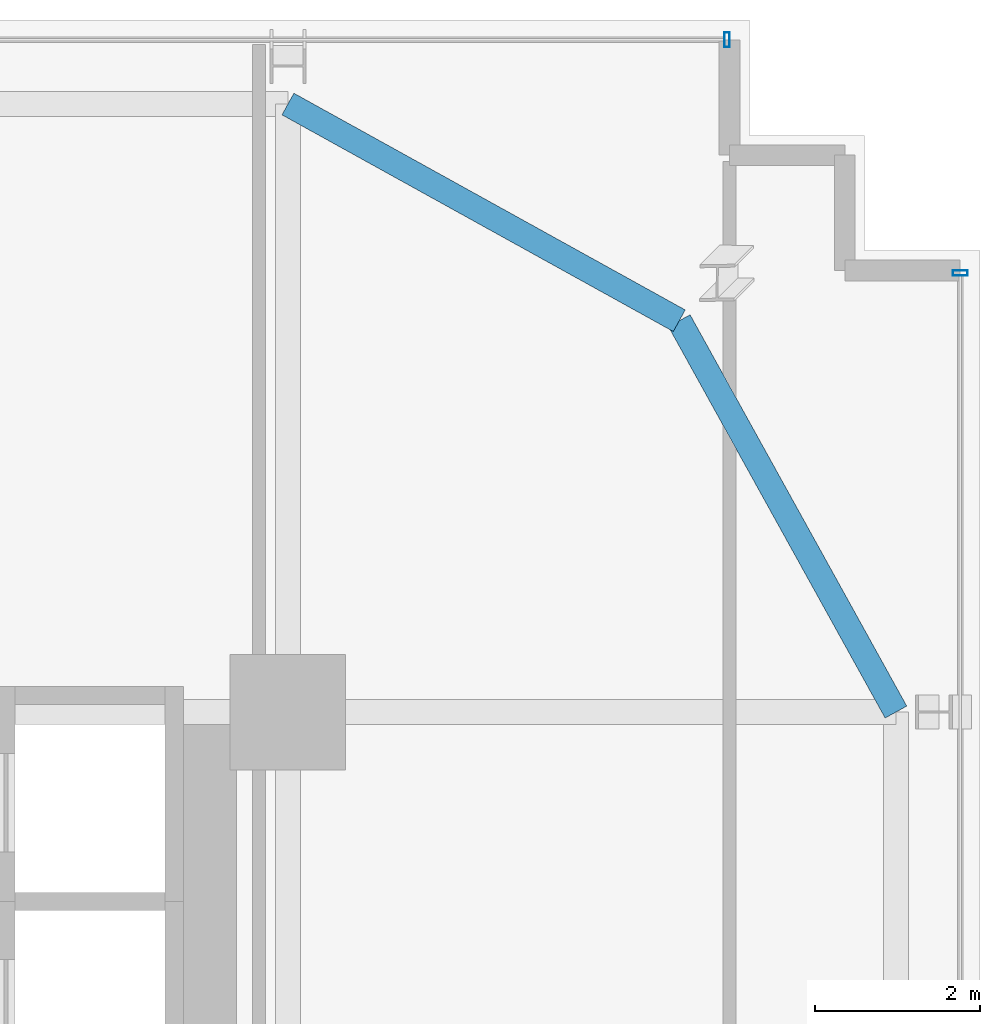
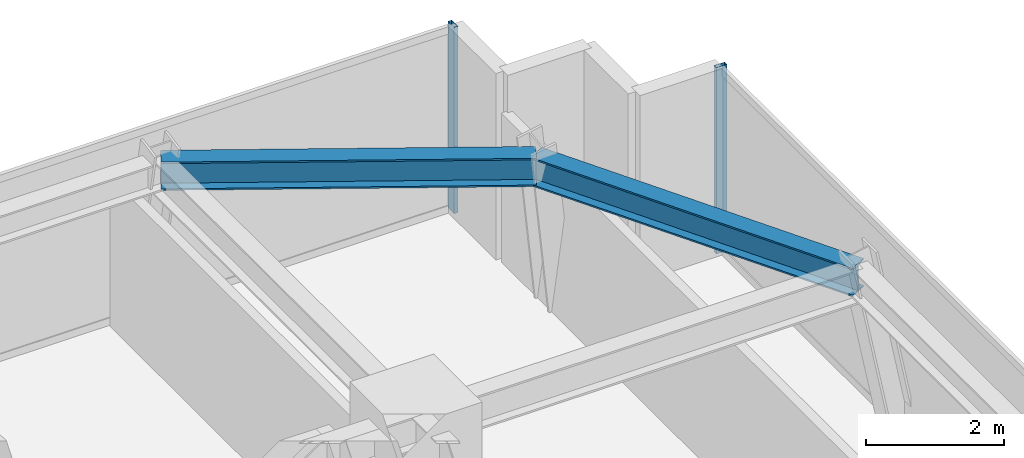
# One storey, part 27 of 35: 2 beams, 2 members, 2 elements without a shape of their own.
"""IFC4 building model written with IfcOpenShell, lengths in metres."""

from ifc_helpers import new_model, si_unit, direction, frame, origin, origin_2d, place, context, subcontext, project, spatial, hollow_rectangle, i_section, extrude, source, transform, mapped, material, material_profile, profile_set, type_object, element, aggregate, save


model = new_model("IFC4")

# Units and contexts
model_context = context("Model", 3, precision=1e-05, world=origin(), true_north=direction((0.0, 1.0)))
body_context = subcontext(model_context, "Body", "Model", "MODEL_VIEW")
ifc_project = project(units=[si_unit("LENGTHUNIT", "METRE"), si_unit("AREAUNIT", "SQUARE_METRE"), si_unit("VOLUMEUNIT", "CUBIC_METRE"), si_unit("PLANEANGLEUNIT", "RADIAN"), si_unit("MASSUNIT", "GRAM", prefix="KILO")], contexts=[model_context])

# Site, building, storey
site_placement = place(None, origin())
site = spatial("IfcSite", under=ifc_project, at=site_placement, CompositionType="ELEMENT")
building_placement = place(site_placement, origin())
building = spatial("IfcBuilding", under=site, at=building_placement, Name="Nahalor Promenade Grand Hotel", CompositionType="ELEMENT")
storey_placement = place(building_placement, frame((0.0, 0.0, 79.85009765625)))
storey = spatial("IfcBuildingStorey", under=building, at=storey_placement, Name="L19", CompositionType="ELEMENT", Elevation=79.85009765625)

# Beams
ifc_material_1 = material(Name="Steel S355JR", Category="steel")
ifc_material_profile_1 = material_profile(ifc_material_1, i_section(OverallWidth=0.3, OverallDepth=0.5, WebThickness=0.0145, FlangeThickness=0.028, at=origin_2d()), Name="HEB 500")
ifc_profile_set_1 = profile_set([ifc_material_profile_1], Name="Steel S355JR")
beam_type = type_object("IfcBeamType", Name="Beam-Spandrel-HEB500", PredefinedType="SPANDREL", material=ifc_profile_set_1)
shared_shape_1 = source(origin(), body_context, "Body", "SweptSolid", [
    extrude(i_section(OverallWidth=0.3, OverallDepth=0.5, WebThickness=0.0145, FlangeThickness=0.028, at=origin_2d()), origin(), (0.0, 0.0, 1.0), 5.429443359375),
])
for number, where, z_axis, x_axis, name in (
    (1, (17.0, 24.3798828125, 3.039794921875), (0.874860543329, -0.484374885523, 0.0), (0.484374885523, 0.874860543329, 0.0), "BM-L19-SPC-NE-1"),
    (2, (21.75, 21.75, 3.039794921875), (0.484374885523, -0.874860543329, 0.0), (0.874860543329, 0.484374885523, 0.0), "BM-L19-SPC-NE-2"),
):
    element("IfcBeam", number, at=place(storey_placement, frame(where, z_axis=z_axis, x_axis=x_axis)), inside=storey, type_object=beam_type, Name=name, PredefinedType="SPANDREL", context=body_context, shape_type="MappedRepresentation", body=[
        mapped(shared_shape_1, transform((0.0, 0.0, 0.0), scale=1.0)),
    ])

# Curtain wall, member
ifc_material_2 = material(Name="Anodised Bronze Aluminium EN AW-6063 T6", Category="aluminium")
curtain_wall_type = type_object("IfcCurtainWallType", Name="CW2 Typical Hotel Flush Bronze Unitised Curtain Wall", PredefinedType="USERDEFINED", material=ifc_material_2)
curtain_wall_1_placement = place(storey_placement, origin())
curtain_wall_1 = element("IfcCurtainWall", 3, at=curtain_wall_1_placement, inside=storey, type_object=curtain_wall_type, Name="L19 Curtain Wall CW-L19-N-1", ObjectType="UNITISED_CURTAIN_WALL", PredefinedType="USERDEFINED")
ifc_material_profile_2 = material_profile(ifc_material_2, hollow_rectangle(XDim=0.065, YDim=0.18, WallThickness=0.004, at=origin_2d()), Name="CWM 65x180x4")
ifc_profile_set_2 = profile_set([ifc_material_profile_2], Name="Anodised Bronze Aluminium EN AW-6063 T6")
member_type = type_object("IfcMemberType", Name="CWM2 Typical Bronze Mullion 65x180", PredefinedType="MULLION", material=ifc_profile_set_2)
shared_shape_2 = source(origin(), body_context, "Body", "SweptSolid", [
    extrude(hollow_rectangle(XDim=0.065, YDim=0.18, WallThickness=0.004, at=origin_2d()), origin(), (0.0, 0.0, 1.0), 3.289794921875),
])
member_1_placement = place(storey_placement, frame((22.327392578125, 25.159912109375, 0.0), z_axis=(0.0, 0.0, 1.0), x_axis=(1.0, 0.0, 0.0)))
member_1 = element("IfcMember", 4, at=member_1_placement, type_object=member_type, Name="CW-L19-N-1 Mullion 4", PredefinedType="MULLION", context=body_context, shape_type="MappedRepresentation", body=[
    mapped(shared_shape_2, transform((0.0, 0.0, 0.0), scale=1.0)),
])
aggregate(curtain_wall_1, [member_1])

curtain_wall_2_placement = place(storey_placement, origin())
curtain_wall_2 = element("IfcCurtainWall", 5, at=curtain_wall_2_placement, inside=storey, type_object=curtain_wall_type, Name="L19 Curtain Wall CW-L19-E-1", ObjectType="UNITISED_CURTAIN_WALL", PredefinedType="USERDEFINED")
member_2_placement = place(storey_placement, frame((25.159912109375, 22.327392578125, 0.0), z_axis=(0.0, 0.0, 1.0), x_axis=(0.0, 1.0, 0.0)))
member_2 = element("IfcMember", 6, at=member_2_placement, type_object=member_type, Name="CW-L19-E-1 Mullion 4", PredefinedType="MULLION", context=body_context, shape_type="MappedRepresentation", body=[
    mapped(shared_shape_2, transform((0.0, 0.0, 0.0), scale=1.0)),
])
aggregate(curtain_wall_2, [member_2])

save(model, "model.ifc")
